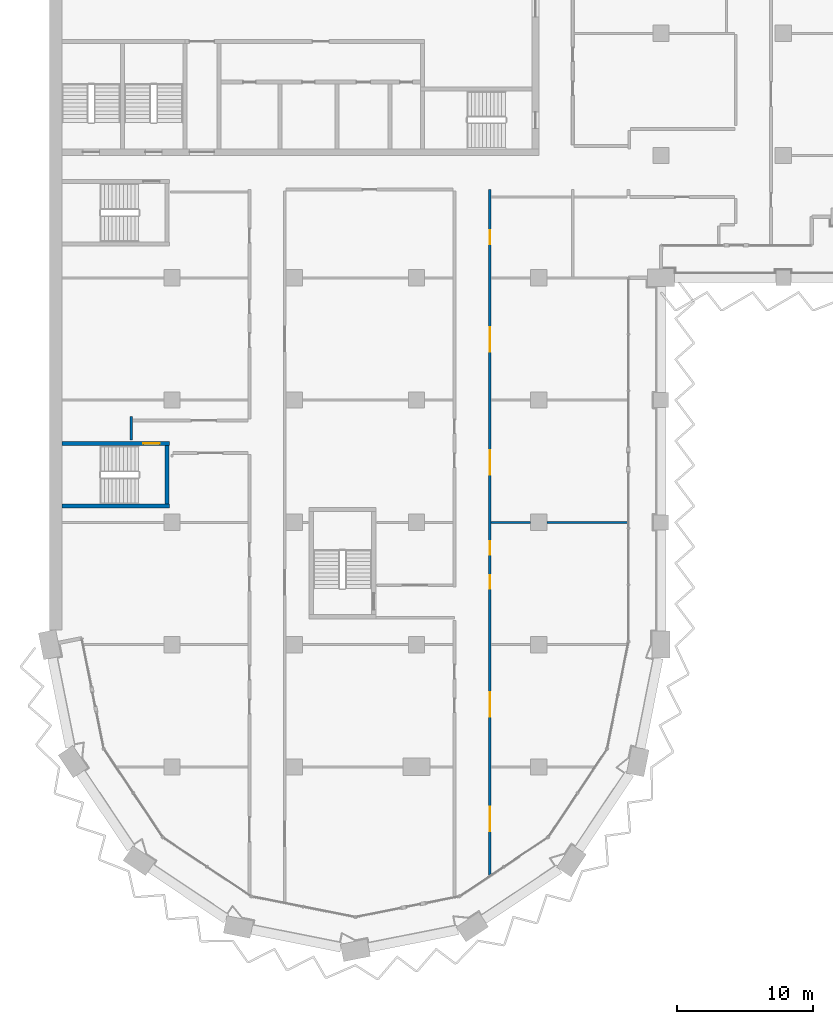
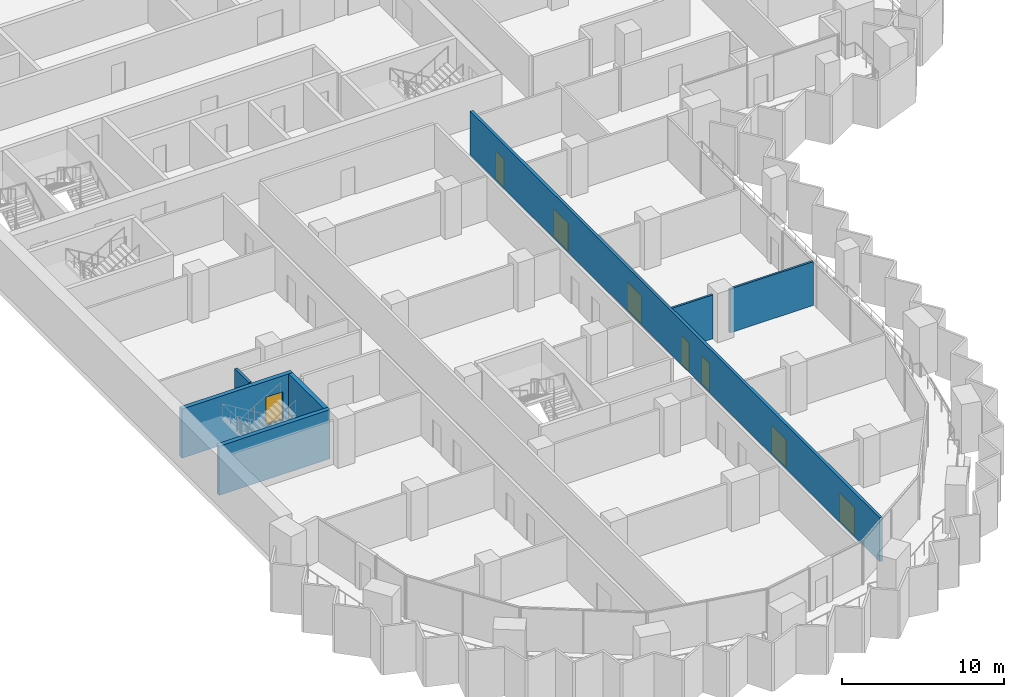
# One storey, part 9 of 22: 8 doors, 7 walls, 8 openings.
"""IFC4 building model written with IfcOpenShell, lengths in metres."""

from ifc_helpers import new_model, si_unit, direction, frame, frame_2d, origin, place, context, subcontext, project, spatial, rectangle, extrude, material, layer, layer_set, type_object, element, fill, save


model = new_model("IFC4")

# Units and contexts
model_context = context("Model", 3, precision=1e-05, world=origin(), true_north=direction((0.0, 1.0)))
body_context = subcontext(model_context, "Body", "Model", "MODEL_VIEW")
ifc_project = project(units=[si_unit("LENGTHUNIT", "METRE"), si_unit("AREAUNIT", "SQUARE_METRE"), si_unit("VOLUMEUNIT", "CUBIC_METRE"), si_unit("PLANEANGLEUNIT", "RADIAN"), si_unit("MASSUNIT", "GRAM", prefix="KILO")], contexts=[model_context])

# Site, building, storey
site_placement = place(None, origin())
site = spatial("IfcSite", under=ifc_project, at=site_placement, CompositionType="ELEMENT")
building_placement = place(site_placement, origin())
building = spatial("IfcBuilding", under=site, at=building_placement, Name="Hunhe Ridgeline Campus", CompositionType="ELEMENT")
storey_placement = place(building_placement, frame((0.0, 0.0, 159.699951171875)))
storey = spatial("IfcBuildingStorey", under=building, at=storey_placement, Name="L40", CompositionType="ELEMENT", Elevation=159.699951171875)

# Wall
ifc_material_1 = material(Name="Gypsum board partition")
ifc_layer_1 = layer(ifc_material_1, 0.199951171875)
ifc_layer_set_1 = layer_set([ifc_layer_1], Name="Corridor partition 200 gypsum board on steel studs")
wall_type_1 = type_object("IfcWallType", Name="Corridor partition 200 gypsum board on steel studs", PredefinedType="PARTITIONING", material=ifc_layer_set_1)
wall_1_placement = place(storey_placement, frame((6.0, 42.053955078125, 0.0), z_axis=(0.0, 0.0, 1.0), x_axis=(0.0, 1.0, 0.0)))
element("IfcWall", 1, at=wall_1_placement, inside=storey, type_object=wall_type_1, Name="F-L40-wall-055", PredefinedType="PARTITIONING", context=body_context, shape_type="SweptSolid", body=[
    extrude(rectangle(XDim=1.74609375, YDim=0.199951171875, at=frame_2d((0.873046875, 0.0))), origin(), (0.0, 0.0, 1.0), 3.300048828125),
])

# Wall, openings, doors
wall_2_placement = place(storey_placement, frame((32.39990234375, 60.5, 0.0), z_axis=(0.0, 0.0, 1.0), x_axis=(0.0, -1.0, 0.0)))
wall_2 = element("IfcWall", 2, at=wall_2_placement, inside=storey, type_object=wall_type_1, Name="F-L40-wall-062", PredefinedType="PARTITIONING", context=body_context, shape_type="SweptSolid", body=[
    extrude(rectangle(XDim=50.472900390625, YDim=0.199951171875, at=frame_2d((25.236328125, 0.0))), origin(), (0.0, 0.0, 1.0), 3.300048828125),
])
opening_1_placement = place(wall_2_placement, frame((45.4296875, 0.0, 0.0)))
opening_1 = element("IfcOpeningElement", 3, at=opening_1_placement, cuts=wall_2, Name="Opening RD2-003", PredefinedType="OPENING", context=body_context, shape_type="SweptSolid", body=[
    extrude(rectangle(XDim=1.800048828125, YDim=2.10009765625, at=frame_2d((0.89990234375, 1.050048828125))), frame((0.0, 0.10009765625, 0.0), z_axis=(0.0, -1.0, 0.0), x_axis=(1.0, 0.0, 0.0)), (0.0, 0.0, 1.0), 0.199951171875),
])
opening_2_placement = place(wall_2_placement, frame((37.017578125, 0.0, 0.0)))
opening_2 = element("IfcOpeningElement", 4, at=opening_2_placement, cuts=wall_2, Name="Opening RD2-006", PredefinedType="OPENING", context=body_context, shape_type="SweptSolid", body=[
    extrude(rectangle(XDim=1.800048828125, YDim=2.10009765625, at=frame_2d((0.89990234375, 1.050048828125))), frame((0.0, 0.10009765625, 0.0), z_axis=(0.0, -1.0, 0.0), x_axis=(1.0, 0.0, 0.0)), (0.0, 0.0, 1.0), 0.199951171875),
])
opening_3_placement = place(wall_2_placement, frame((28.377685546875, 0.0, 0.0)))
opening_3 = element("IfcOpeningElement", 5, at=opening_3_placement, cuts=wall_2, Name="Opening RD1-012", PredefinedType="OPENING", context=body_context, shape_type="SweptSolid", body=[
    extrude(rectangle(XDim=1.0, YDim=2.10009765625, at=frame_2d((0.5, 1.050048828125))), frame((0.0, 0.10009765625, 0.0), z_axis=(0.0, -1.0, 0.0), x_axis=(1.0, 0.0, 0.0)), (0.0, 0.0, 1.0), 0.199951171875),
])
opening_4_placement = place(wall_2_placement, frame((25.877685546875, 0.0, 0.0)))
opening_4 = element("IfcOpeningElement", 6, at=opening_4_placement, cuts=wall_2, Name="Opening RD1-014", PredefinedType="OPENING", context=body_context, shape_type="SweptSolid", body=[
    extrude(rectangle(XDim=1.0, YDim=2.10009765625, at=frame_2d((0.5, 1.050048828125))), frame((0.0, 0.10009765625, 0.0), z_axis=(0.0, -1.0, 0.0), x_axis=(1.0, 0.0, 0.0)), (0.0, 0.0, 1.0), 0.199951171875),
])
opening_5_placement = place(wall_2_placement, frame((19.188720703125, 0.0, 0.0)))
opening_5 = element("IfcOpeningElement", 7, at=opening_5_placement, cuts=wall_2, Name="Opening RD2-015", PredefinedType="OPENING", context=body_context, shape_type="SweptSolid", body=[
    extrude(rectangle(XDim=1.800048828125, YDim=2.10009765625, at=frame_2d((0.89990234375, 1.050048828125))), frame((0.0, 0.10009765625, 0.0), z_axis=(0.0, -1.0, 0.0), x_axis=(1.0, 0.0, 0.0)), (0.0, 0.0, 1.0), 0.199951171875),
])
opening_6_placement = place(wall_2_placement, frame((10.148681640625, 0.0, 0.0)))
opening_6 = element("IfcOpeningElement", 8, at=opening_6_placement, cuts=wall_2, Name="Opening RD2-022", PredefinedType="OPENING", context=body_context, shape_type="SweptSolid", body=[
    extrude(rectangle(XDim=1.800048828125, YDim=2.10009765625, at=frame_2d((0.89990234375, 1.050048828125))), frame((0.0, 0.10009765625, 0.0), z_axis=(0.0, -1.0, 0.0), x_axis=(1.0, 0.0, 0.0)), (0.0, 0.0, 1.0), 0.199951171875),
])
opening_7_placement = place(wall_2_placement, frame((3.015380859375, 0.0, 0.0)))
opening_7 = element("IfcOpeningElement", 9, at=opening_7_placement, cuts=wall_2, Name="Opening RD1-024", PredefinedType="OPENING", context=body_context, shape_type="SweptSolid", body=[
    extrude(rectangle(XDim=1.0, YDim=2.10009765625, at=frame_2d((0.5, 1.050048828125))), frame((0.0, 0.10009765625, 0.0), z_axis=(0.0, -1.0, 0.0), x_axis=(1.0, 0.0, 0.0)), (0.0, 0.0, 1.0), 0.199951171875),
])
ifc_material_2 = material(Name="Timber door leaf", Category="wood")
door_type_1 = type_object("IfcDoorType", Name="Double fire door 1800x2100 timber FD60", OperationType="DOUBLE_DOOR_SINGLE_SWING", PredefinedType="DOOR", material=ifc_material_2)
door_1_placement = place(opening_1_placement, origin())
door_1 = element("IfcDoor", 10, at=door_1_placement, inside=storey, type_object=door_type_1, Name="F-L40-door-003", OperationType="DOUBLE_DOOR_SINGLE_SWING", OverallHeight=2.10009765625, OverallWidth=1.800048828125, PredefinedType="DOOR", context=body_context, shape_type="SweptSolid", body=[
    extrude(rectangle(XDim=1.800048828125, YDim=2.10009765625, at=frame_2d((0.89990234375, 1.050048828125))), frame((0.0, 0.02490234375, 0.0), z_axis=(0.0, -1.0, 0.0), x_axis=(1.0, 0.0, 0.0)), (0.0, 0.0, 1.0), 0.050048828125),
])
fill(opening_1, door_1)
door_2_placement = place(opening_2_placement, origin())
door_2 = element("IfcDoor", 11, at=door_2_placement, inside=storey, type_object=door_type_1, Name="F-L40-door-006", OperationType="DOUBLE_DOOR_SINGLE_SWING", OverallHeight=2.10009765625, OverallWidth=1.800048828125, PredefinedType="DOOR", context=body_context, shape_type="SweptSolid", body=[
    extrude(rectangle(XDim=1.800048828125, YDim=2.10009765625, at=frame_2d((0.89990234375, 1.050048828125))), frame((0.0, 0.02490234375, 0.0), z_axis=(0.0, -1.0, 0.0), x_axis=(1.0, 0.0, 0.0)), (0.0, 0.0, 1.0), 0.050048828125),
])
fill(opening_2, door_2)
door_3_placement = place(opening_5_placement, origin())
door_3 = element("IfcDoor", 12, at=door_3_placement, inside=storey, type_object=door_type_1, Name="F-L40-door-015", OperationType="DOUBLE_DOOR_SINGLE_SWING", OverallHeight=2.10009765625, OverallWidth=1.800048828125, PredefinedType="DOOR", context=body_context, shape_type="SweptSolid", body=[
    extrude(rectangle(XDim=1.800048828125, YDim=2.10009765625, at=frame_2d((0.89990234375, 1.050048828125))), frame((0.0, 0.02490234375, 0.0), z_axis=(0.0, -1.0, 0.0), x_axis=(1.0, 0.0, 0.0)), (0.0, 0.0, 1.0), 0.050048828125),
])
fill(opening_5, door_3)
door_4_placement = place(opening_6_placement, origin())
door_4 = element("IfcDoor", 13, at=door_4_placement, inside=storey, type_object=door_type_1, Name="F-L40-door-022", OperationType="DOUBLE_DOOR_SINGLE_SWING", OverallHeight=2.10009765625, OverallWidth=1.800048828125, PredefinedType="DOOR", context=body_context, shape_type="SweptSolid", body=[
    extrude(rectangle(XDim=1.800048828125, YDim=2.10009765625, at=frame_2d((0.89990234375, 1.050048828125))), frame((0.0, 0.02490234375, 0.0), z_axis=(0.0, -1.0, 0.0), x_axis=(1.0, 0.0, 0.0)), (0.0, 0.0, 1.0), 0.050048828125),
])
fill(opening_6, door_4)
door_type_2 = type_object("IfcDoorType", Name="Single fire door 1000x2100 timber FD60", OperationType="NOTDEFINED", PredefinedType="DOOR", material=ifc_material_2)
door_5_placement = place(opening_3_placement, frame((1.0, 0.0, 0.0), z_axis=(0.0, 0.0, 1.0), x_axis=(-1.0, 0.0, 0.0)))
door_5 = element("IfcDoor", 14, at=door_5_placement, inside=storey, type_object=door_type_2, Name="F-L40-door-012", OperationType="SINGLE_SWING_RIGHT", OverallHeight=2.10009765625, OverallWidth=1.0, PredefinedType="DOOR", context=body_context, shape_type="SweptSolid", body=[
    extrude(rectangle(XDim=1.0, YDim=2.10009765625, at=frame_2d((0.5, 1.050048828125))), frame((0.0, 0.02490234375, 0.0), z_axis=(0.0, -1.0, 0.0), x_axis=(1.0, 0.0, 0.0)), (0.0, 0.0, 1.0), 0.050048828125),
])
fill(opening_3, door_5)
door_6_placement = place(opening_4_placement, frame((1.0, 0.0, 0.0), z_axis=(0.0, 0.0, 1.0), x_axis=(-1.0, 0.0, 0.0)))
door_6 = element("IfcDoor", 15, at=door_6_placement, inside=storey, type_object=door_type_2, Name="F-L40-door-014", OperationType="SINGLE_SWING_RIGHT", OverallHeight=2.10009765625, OverallWidth=1.0, PredefinedType="DOOR", context=body_context, shape_type="SweptSolid", body=[
    extrude(rectangle(XDim=1.0, YDim=2.10009765625, at=frame_2d((0.5, 1.050048828125))), frame((0.0, 0.02490234375, 0.0), z_axis=(0.0, -1.0, 0.0), x_axis=(1.0, 0.0, 0.0)), (0.0, 0.0, 1.0), 0.050048828125),
])
fill(opening_4, door_6)
door_7_placement = place(opening_7_placement, origin())
door_7 = element("IfcDoor", 16, at=door_7_placement, inside=storey, type_object=door_type_2, Name="F-L40-door-024", OperationType="SINGLE_SWING_LEFT", OverallHeight=2.10009765625, OverallWidth=1.0, PredefinedType="DOOR", context=body_context, shape_type="SweptSolid", body=[
    extrude(rectangle(XDim=1.0, YDim=2.10009765625, at=frame_2d((0.5, 1.050048828125))), frame((0.0, 0.02490234375, 0.0), z_axis=(0.0, -1.0, 0.0), x_axis=(1.0, 0.0, 0.0)), (0.0, 0.0, 1.0), 0.050048828125),
])
fill(opening_7, door_7)

# Walls
ifc_layer_2 = layer(ifc_material_1, 0.14990234375)
ifc_layer_set_2 = layer_set([ifc_layer_2], Name="Room partition 150 gypsum board on steel studs")
wall_type_2 = type_object("IfcWallType", Name="Room partition 150 gypsum board on steel studs", PredefinedType="PARTITIONING", material=ifc_layer_set_2)
wall_3_placement = place(storey_placement, frame((32.5, 36.0, 0.0), z_axis=(0.0, 0.0, 1.0), x_axis=(1.0, 0.0, 0.0)))
element("IfcWall", 17, at=wall_3_placement, inside=storey, type_object=wall_type_2, Name="F-L40-wall-020", PredefinedType="PARTITIONING", context=body_context, shape_type="SweptSolid", body=[
    extrude(rectangle(XDim=2.89990234375, YDim=0.14990234375, at=frame_2d((1.449951171875, 0.0))), origin(), (0.0, 0.0, 1.0), 3.300048828125),
])
wall_4_placement = place(storey_placement, frame((36.60009765625, 36.0, 0.0), z_axis=(0.0, 0.0, 1.0), x_axis=(1.0, 0.0, 0.0)))
element("IfcWall", 18, at=wall_4_placement, inside=storey, type_object=wall_type_2, Name="F-L40-wall-021", PredefinedType="PARTITIONING", context=body_context, shape_type="SweptSolid", body=[
    extrude(rectangle(XDim=5.94482421875, YDim=0.14990234375, at=frame_2d((2.972412109375, 0.0))), origin(), (0.0, 0.0, 1.0), 3.300048828125),
])
ifc_material_3 = material(Name="Concrete C70", Category="concrete")
ifc_layer_3 = layer(ifc_material_3, 0.300048828125)
ifc_layer_set_3 = layer_set([ifc_layer_3], Name="Stair wall 300 reinforced concrete C70")
wall_type_3 = type_object("IfcWallType", Name="Stair wall 300 reinforced concrete C70", PredefinedType="SOLIDWALL", material=ifc_layer_set_3)
wall_5_placement = place(storey_placement, frame((0.89990234375, 37.199951171875, -0.39990234375), z_axis=(0.0, 0.0, 1.0), x_axis=(1.0, 0.0, 0.0)))
element("IfcWall", 19, at=wall_5_placement, inside=storey, type_object=wall_type_3, Name="L40 core wall 3", PredefinedType="SOLIDWALL", context=body_context, shape_type="SweptSolid", body=[
    extrude(rectangle(XDim=7.900146484375, YDim=0.300048828125, at=frame_2d((3.9501953125, 0.0))), origin(), (0.0, 0.0, 1.0), 3.699951171875),
])

# Wall, opening, door
wall_6_placement = place(storey_placement, frame((0.89990234375, 41.800048828125, -0.39990234375), z_axis=(0.0, 0.0, 1.0), x_axis=(1.0, 0.0, 0.0)))
wall_6 = element("IfcWall", 20, at=wall_6_placement, inside=storey, type_object=wall_type_3, Name="L40 core wall 4", PredefinedType="SOLIDWALL", context=body_context, shape_type="SweptSolid", body=[
    extrude(rectangle(XDim=7.900146484375, YDim=0.300048828125, at=frame_2d((3.9501953125, 0.0))), origin(), (0.0, 0.0, 1.0), 3.699951171875),
])
opening_8_placement = place(wall_6_placement, frame((6.0, 0.0, 0.39990234375)))
opening_8 = element("IfcOpeningElement", 21, at=opening_8_placement, cuts=wall_6, Name="Opening CD21", PredefinedType="OPENING", context=body_context, shape_type="SweptSolid", body=[
    extrude(rectangle(XDim=1.199951171875, YDim=2.10009765625, at=frame_2d((0.60009765625, 1.050048828125))), frame((0.0, 0.14990234375, 0.0), z_axis=(0.0, -1.0, 0.0), x_axis=(1.0, 0.0, 0.0)), (0.0, 0.0, 1.0), 0.300048828125),
])
ifc_material_4 = material(Name="Hollow metal fire door leaf")
door_type_3 = type_object("IfcDoorType", Name="Stair door 1200x2100 FD60", OperationType="SINGLE_SWING_LEFT", PredefinedType="DOOR", material=ifc_material_4)
door_8_placement = place(opening_8_placement, origin())
door_8 = element("IfcDoor", 22, at=door_8_placement, inside=storey, type_object=door_type_3, Name="L40 door W1", OperationType="SINGLE_SWING_LEFT", OverallHeight=2.10009765625, OverallWidth=1.199951171875, PredefinedType="DOOR", context=body_context, shape_type="SweptSolid", body=[
    extrude(rectangle(XDim=1.199951171875, YDim=2.10009765625, at=frame_2d((0.60009765625, 1.050048828125))), frame((0.0, 0.02490234375, 0.0), z_axis=(0.0, -1.0, 0.0), x_axis=(1.0, 0.0, 0.0)), (0.0, 0.0, 1.0), 0.050048828125),
])
fill(opening_8, door_8)

# Wall
wall_7_placement = place(storey_placement, frame((8.64990234375, 37.35009765625, -0.39990234375), z_axis=(0.0, 0.0, 1.0), x_axis=(0.0, 1.0, 0.0)))
element("IfcWall", 23, at=wall_7_placement, inside=storey, type_object=wall_type_3, Name="L40 core wall 36", PredefinedType="SOLIDWALL", context=body_context, shape_type="SweptSolid", body=[
    extrude(rectangle(XDim=4.2998046875, YDim=0.300048828125, at=frame_2d((2.14990234375, 0.0))), origin(), (0.0, 0.0, 1.0), 3.699951171875),
])

save(model, "model.ifc")
